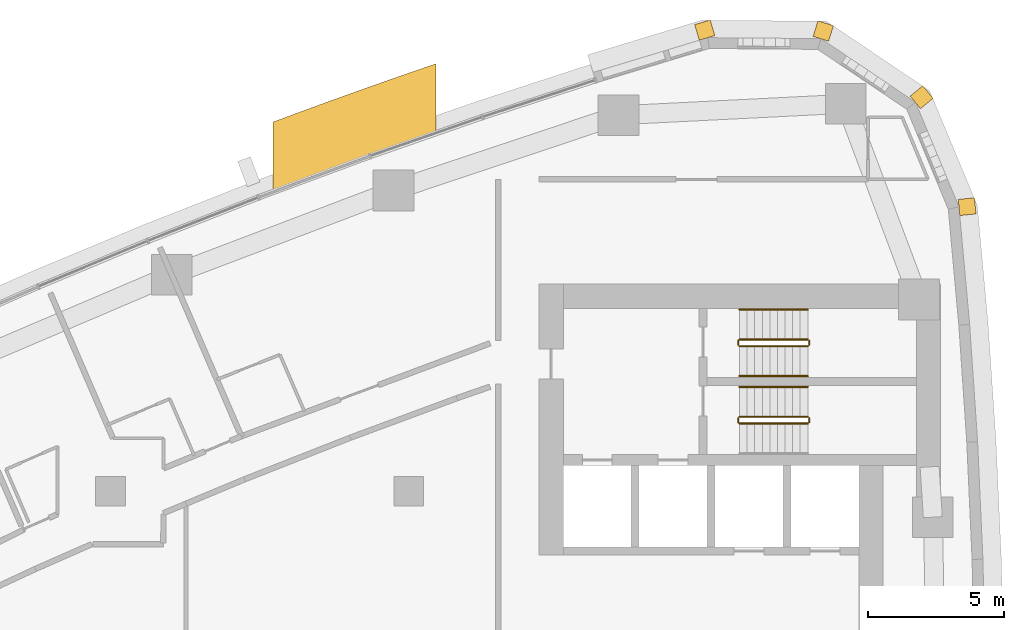
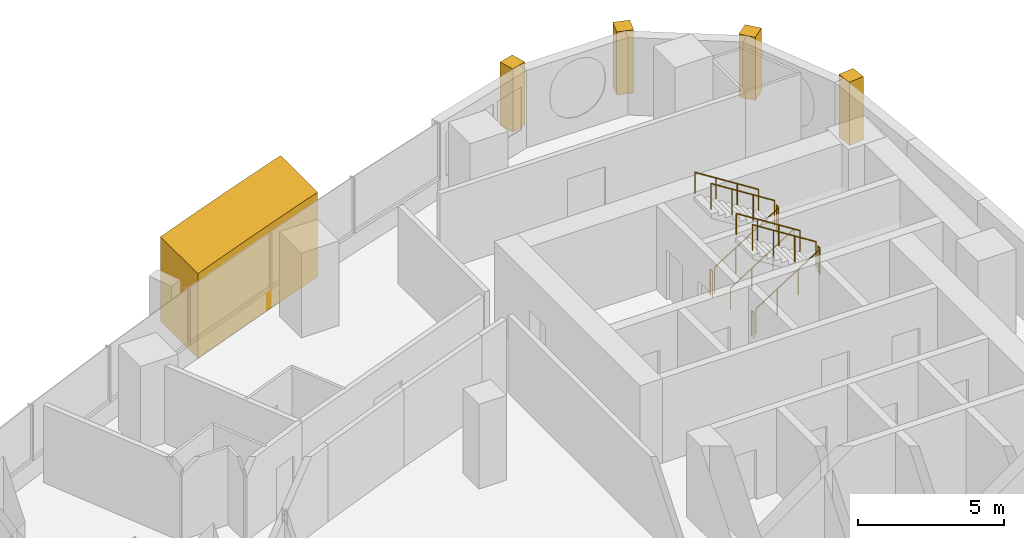
# One storey, part 17 of 17: 11 railings, 5 coverings.
"""IFC4 building model written with IfcOpenShell, lengths in metres."""

from ifc_helpers import new_model, si_unit, direction, frame, frame_2d, origin, origin_2d, place, context, subcontext, project, spatial, polyline, rectangle, circle, outline, extrude, material, layer, layer_set, type_object, element, save


model = new_model("IFC4")

# Units and contexts
model_context = context("Model", 3, precision=1e-05, world=origin(), true_north=direction((0.0, 1.0)))
body_context = subcontext(model_context, "Body", "Model", "MODEL_VIEW")
ifc_project = project(units=[si_unit("LENGTHUNIT", "METRE"), si_unit("AREAUNIT", "SQUARE_METRE"), si_unit("VOLUMEUNIT", "CUBIC_METRE"), si_unit("PLANEANGLEUNIT", "RADIAN"), si_unit("MASSUNIT", "GRAM", prefix="KILO")], contexts=[model_context])

# Site, building, storey
site_placement = place(None, origin())
site = spatial("IfcSite", under=ifc_project, at=site_placement, CompositionType="ELEMENT")
building_placement = place(site_placement, origin())
building = spatial("IfcBuilding", under=site, at=building_placement, Name="Ostrand Prow Hotel Tower", CompositionType="ELEMENT")
storey_placement = place(building_placement, frame((0.0, 0.0, 133.75)))
storey = spatial("IfcBuildingStorey", under=building, at=storey_placement, Name="L32", CompositionType="ELEMENT", Elevation=133.75)

# Coverings
ifc_material_1 = material(Name="Limestone cladding", Category="masonry")
ifc_layer_1 = layer(ifc_material_1, 5.0)
ifc_layer_set_1 = layer_set([ifc_layer_1], Name="Limestone cladding")
covering_type_1 = type_object("IfcCoveringType", Name="Portal jamb pilaster limestone", PredefinedType="CLADDING", material=ifc_layer_set_1)
covering_1_placement = place(storey_placement, origin())
element("IfcCovering", 1, at=covering_1_placement, inside=storey, type_object=covering_type_1, Name="Portal jamb NB L32", PredefinedType="CLADDING", context=body_context, shape_type="SweptSolid", body=[
    extrude(outline(polyline([(40.0, 20.058349609375), (41.0, 20.434326171875), (42.0, 20.804931640625), (43.0, 21.169921875), (44.0, 21.529296875), (45.0, 21.883056640625), (46.0, 22.231689453125), (46.0, 24.769287109375), (45.0, 24.425048828125), (44.0, 24.075439453125), (43.0, 23.720458984375), (42.0, 23.360107421875), (41.0, 22.994140625), (40.0, 22.622802734375), (40.0, 20.058349609375)])), origin(), (0.0, 0.0, 1.0), 3.550048828125),
])
ifc_material_2 = material(Name="Limestone cladding", Category="masonry")
ifc_layer_2 = layer(ifc_material_2, 0.60009765625)
ifc_layer_set_2 = layer_set([ifc_layer_2], Name="Limestone cladding")
covering_type_2 = type_object("IfcCoveringType", Name="Precast stone prow rib 600x600", PredefinedType="CLADDING", material=ifc_layer_set_2)
covering_2_placement = place(storey_placement, frame((65.296875, 19.467529296875, 0.60009765625), z_axis=(0.0, 0.0, 1.0), x_axis=(0.994854249607, 0.101316445052, 0.0)))
element("IfcCovering", 2, at=covering_2_placement, inside=storey, type_object=covering_type_2, Name="Stone corner rib 14a", PredefinedType="CLADDING", context=body_context, shape_type="SweptSolid", body=[
    extrude(rectangle(XDim=0.60009765625, YDim=0.60009765625, at=frame_2d((0.300048828125, 0.0))), origin(), (0.0, 0.0, 1.0), 2.64990234375),
])
for number, where, z_axis, x_axis, name in (
    (3, (63.68505859375, 23.34521484375, 0.60009765625), (0.0, 0.0, 1.0), (0.773830327772, 0.633392945825, 0.0), "Stone corner rib 15a"),
    (4, (60.201171875, 25.689697265625, 0.60009765625), (0.0, 0.0, 1.0), (0.295515682615, 0.955337888565, 0.0), "Stone corner rib 16a"),
):
    element("IfcCovering", number, at=place(storey_placement, frame(where, z_axis=z_axis, x_axis=x_axis)), inside=storey, type_object=covering_type_2, Name=name, PredefinedType="CLADDING", context=body_context, shape_type="SweptSolid", body=[
        extrude(rectangle(XDim=0.599853515625, YDim=0.60009765625, at=frame_2d((0.2998046875, 0.0))), origin(), (0.0, 0.0, 1.0), 2.64990234375),
    ])
covering_3_placement = place(storey_placement, frame((56.001953125, 25.722412109375, 0.60009765625), z_axis=(0.0, 0.0, 1.0), x_axis=(-0.280734221166, 0.959785547436, 0.0)))
element("IfcCovering", 5, at=covering_3_placement, inside=storey, type_object=covering_type_2, Name="Stone corner rib 16b", PredefinedType="CLADDING", context=body_context, shape_type="SweptSolid", body=[
    extrude(rectangle(XDim=0.60009765625, YDim=0.60009765625, at=frame_2d((0.300048828125, 0.0))), origin(), (0.0, 0.0, 1.0), 2.64990234375),
])

# Railings
ifc_material_3 = material(Name="Painted steel", Category="steel")
railing_type_1 = type_object("IfcRailingType", Name="Stair guard 1100", PredefinedType="GUARDRAIL", material=ifc_material_3)
railing_1_placement = place(storey_placement, frame((57.199951171875, 11.5, 0.177490234375)))
element("IfcRailing", 6, at=railing_1_placement, inside=storey, type_object=railing_type_1, Name="L32 ST1C stair guard 1", PredefinedType="GUARDRAIL", context=body_context, shape_type="SweptSolid", body=[
    extrude(circle(Radius=0.02392578125, at=origin_2d()), frame((0.0, 0.0, 1.076171875), z_axis=(0.84460694969, 0.0, 0.535386869969), x_axis=(0.0, 1.0, 0.0)), (0.0, 0.0, 1.0), 2.983642578125),
    extrude(circle(Radius=0.02099609375, at=origin_2d()), origin(), (0.0, 0.0, 1.0), 1.052001953125),
    extrude(circle(Radius=0.02099609375, at=origin_2d()), frame((0.840087890625, 0.0, 0.532470703125)), (0.0, 0.0, 1.0), 1.052001953125),
    extrude(circle(Radius=0.02099609375, at=origin_2d()), frame((1.679931640625, 0.0, 1.06494140625)), (0.0, 0.0, 1.0), 1.052001953125),
    extrude(circle(Radius=0.02099609375, at=origin_2d()), frame((2.52001953125, 0.0, 1.597412109375)), (0.0, 0.0, 1.0), 1.052001953125),
])
railing_2_placement = place(storey_placement, frame((59.77001953125, 11.550048828125, 1.77490234375)))
element("IfcRailing", 7, at=railing_2_placement, inside=storey, type_object=railing_type_1, Name="L32 ST1C stair guard 2", PredefinedType="GUARDRAIL", context=body_context, shape_type="SweptSolid", body=[
    extrude(circle(Radius=0.02392578125, at=origin_2d()), frame((0.0, 0.0, 1.076171875), z_axis=(0.0, 1.0, 0.0), x_axis=(-1.0, 0.0, 0.0)), (0.0, 0.0, 1.0), 0.14990234375),
    extrude(circle(Radius=0.02099609375, at=origin_2d()), origin(), (0.0, 0.0, 1.0), 1.052001953125),
    extrude(circle(Radius=0.02099609375, at=origin_2d()), frame((0.0, 0.14990234375, 0.0)), (0.0, 0.0, 1.0), 1.052001953125),
])
railing_3_placement = place(storey_placement, frame((59.719970703125, 11.75, 1.952392578125)))
element("IfcRailing", 8, at=railing_3_placement, inside=storey, type_object=railing_type_1, Name="L32 ST1C stair guard 3", PredefinedType="GUARDRAIL", context=body_context, shape_type="SweptSolid", body=[
    extrude(circle(Radius=0.02392578125, at=origin_2d()), frame((0.0, 0.0, 1.076171875), z_axis=(-0.84456994832, 0.0, 0.535445237532), x_axis=(0.0, -1.0, 0.0)), (0.0, 0.0, 1.0), 2.98388671875),
    extrude(circle(Radius=0.02099609375, at=origin_2d()), origin(), (0.0, 0.0, 1.0), 1.052001953125),
    extrude(circle(Radius=0.02099609375, at=origin_2d()), frame((-0.840087890625, 0.0, 0.532470703125)), (0.0, 0.0, 1.0), 1.052001953125),
    extrude(circle(Radius=0.02099609375, at=origin_2d()), frame((-1.679931640625, 0.0, 1.065185546875)), (0.0, 0.0, 1.0), 1.052001953125),
    extrude(circle(Radius=0.02099609375, at=origin_2d()), frame((-2.52001953125, 0.0, 1.59765625)), (0.0, 0.0, 1.0), 1.052001953125),
])
railing_4_placement = place(storey_placement, frame((57.14990234375, 11.550048828125, 0.0)))
element("IfcRailing", 9, at=railing_4_placement, inside=storey, type_object=railing_type_1, Name="L32 ST1C stair guard 4", PredefinedType="GUARDRAIL", context=body_context, shape_type="SweptSolid", body=[
    extrude(circle(Radius=0.02392578125, at=origin_2d()), frame((0.0, 0.0, 1.076171875), z_axis=(0.0, 1.0, 0.0), x_axis=(-1.0, 0.0, 0.0)), (0.0, 0.0, 1.0), 0.14990234375),
    extrude(circle(Radius=0.02099609375, at=origin_2d()), origin(), (0.0, 0.0, 1.0), 1.052001953125),
    extrude(circle(Radius=0.02099609375, at=origin_2d()), frame((0.0, 0.14990234375, 0.0)), (0.0, 0.0, 1.0), 1.052001953125),
])
railing_5_placement = place(storey_placement, frame((57.199951171875, 14.35009765625, 0.177490234375)))
element("IfcRailing", 10, at=railing_5_placement, inside=storey, type_object=railing_type_1, Name="L32 ST3C stair guard 1", PredefinedType="GUARDRAIL", context=body_context, shape_type="SweptSolid", body=[
    extrude(circle(Radius=0.02392578125, at=origin_2d()), frame((0.0, 0.0, 1.076171875), z_axis=(0.84460694969, 0.0, 0.535386869969), x_axis=(0.0, 1.0, 0.0)), (0.0, 0.0, 1.0), 2.983642578125),
    extrude(circle(Radius=0.02099609375, at=origin_2d()), origin(), (0.0, 0.0, 1.0), 1.052001953125),
    extrude(circle(Radius=0.02099609375, at=origin_2d()), frame((0.840087890625, 0.0, 0.532470703125)), (0.0, 0.0, 1.0), 1.052001953125),
    extrude(circle(Radius=0.02099609375, at=origin_2d()), frame((1.679931640625, 0.0, 1.06494140625)), (0.0, 0.0, 1.0), 1.052001953125),
    extrude(circle(Radius=0.02099609375, at=origin_2d()), frame((2.52001953125, 0.0, 1.597412109375)), (0.0, 0.0, 1.0), 1.052001953125),
])
railing_6_placement = place(storey_placement, frame((59.77001953125, 14.39990234375, 1.77490234375)))
element("IfcRailing", 11, at=railing_6_placement, inside=storey, type_object=railing_type_1, Name="L32 ST3C stair guard 2", PredefinedType="GUARDRAIL", context=body_context, shape_type="SweptSolid", body=[
    extrude(circle(Radius=0.02392578125, at=origin_2d()), frame((0.0, 0.0, 1.076171875), z_axis=(0.0, 1.0, 0.0), x_axis=(-1.0, 0.0, 0.0)), (0.0, 0.0, 1.0), 0.150146484375),
    extrude(circle(Radius=0.02099609375, at=origin_2d()), origin(), (0.0, 0.0, 1.0), 1.052001953125),
    extrude(circle(Radius=0.02099609375, at=origin_2d()), frame((0.0, 0.150146484375, 0.0)), (0.0, 0.0, 1.0), 1.052001953125),
])
railing_7_placement = place(storey_placement, frame((59.719970703125, 14.60009765625, 1.952392578125)))
element("IfcRailing", 12, at=railing_7_placement, inside=storey, type_object=railing_type_1, Name="L32 ST3C stair guard 3", PredefinedType="GUARDRAIL", context=body_context, shape_type="SweptSolid", body=[
    extrude(circle(Radius=0.02392578125, at=origin_2d()), frame((0.0, 0.0, 1.076171875), z_axis=(-0.84456994832, 0.0, 0.535445237532), x_axis=(0.0, -1.0, 0.0)), (0.0, 0.0, 1.0), 2.98388671875),
    extrude(circle(Radius=0.02099609375, at=origin_2d()), origin(), (0.0, 0.0, 1.0), 1.052001953125),
    extrude(circle(Radius=0.02099609375, at=origin_2d()), frame((-0.840087890625, 0.0, 0.532470703125)), (0.0, 0.0, 1.0), 1.052001953125),
    extrude(circle(Radius=0.02099609375, at=origin_2d()), frame((-1.679931640625, 0.0, 1.065185546875)), (0.0, 0.0, 1.0), 1.052001953125),
    extrude(circle(Radius=0.02099609375, at=origin_2d()), frame((-2.52001953125, 0.0, 1.59765625)), (0.0, 0.0, 1.0), 1.052001953125),
])
railing_8_placement = place(storey_placement, frame((57.14990234375, 14.39990234375, 0.0)))
element("IfcRailing", 13, at=railing_8_placement, inside=storey, type_object=railing_type_1, Name="L32 ST3C stair guard 4", PredefinedType="GUARDRAIL", context=body_context, shape_type="SweptSolid", body=[
    extrude(circle(Radius=0.02392578125, at=origin_2d()), frame((0.0, 0.0, 1.076171875), z_axis=(0.0, 1.0, 0.0), x_axis=(-1.0, 0.0, 0.0)), (0.0, 0.0, 1.0), 0.150146484375),
    extrude(circle(Radius=0.02099609375, at=origin_2d()), origin(), (0.0, 0.0, 1.0), 1.052001953125),
    extrude(circle(Radius=0.02099609375, at=origin_2d()), frame((0.0, 0.150146484375, 0.0)), (0.0, 0.0, 1.0), 1.052001953125),
])
ifc_material_4 = material(Name="Stainless steel", Category="steel")
railing_type_2 = type_object("IfcRailingType", Name="Stair handrail 900", PredefinedType="HANDRAIL", material=ifc_material_4)
railing_9_placement = place(storey_placement, frame((59.719970703125, 12.85009765625, 1.952392578125)))
element("IfcRailing", 14, at=railing_9_placement, inside=storey, type_object=railing_type_2, Name="L32 ST1C stair handrail 2", PredefinedType="HANDRAIL", context=body_context, shape_type="SweptSolid", body=[
    extrude(circle(Radius=0.02392578125, at=origin_2d()), frame((0.0, 0.0, 0.8759765625), z_axis=(-0.84456994832, 0.0, 0.535445237532), x_axis=(0.0, -1.0, 0.0)), (0.0, 0.0, 1.0), 2.98388671875),
    extrude(circle(Radius=0.02099609375, at=origin_2d()), origin(), (0.0, 0.0, 1.0), 0.851806640625),
    extrude(circle(Radius=0.02099609375, at=origin_2d()), frame((-0.840087890625, 0.0, 0.532470703125)), (0.0, 0.0, 1.0), 0.851806640625),
    extrude(circle(Radius=0.02099609375, at=origin_2d()), frame((-1.679931640625, 0.0, 1.065185546875)), (0.0, 0.0, 1.0), 0.851806640625),
    extrude(circle(Radius=0.02099609375, at=origin_2d()), frame((-2.52001953125, 0.0, 1.59765625)), (0.0, 0.0, 1.0), 0.851806640625),
])
railing_10_placement = place(storey_placement, frame((57.199951171875, 13.25, 0.177490234375)))
element("IfcRailing", 15, at=railing_10_placement, inside=storey, type_object=railing_type_2, Name="L32 ST3C stair handrail 1", PredefinedType="HANDRAIL", context=body_context, shape_type="SweptSolid", body=[
    extrude(circle(Radius=0.02392578125, at=origin_2d()), frame((0.0, 0.0, 0.8759765625), z_axis=(0.84460694969, 0.0, 0.535386869969), x_axis=(0.0, 1.0, 0.0)), (0.0, 0.0, 1.0), 2.983642578125),
    extrude(circle(Radius=0.02099609375, at=origin_2d()), origin(), (0.0, 0.0, 1.0), 0.851806640625),
    extrude(circle(Radius=0.02099609375, at=origin_2d()), frame((0.840087890625, 0.0, 0.532470703125)), (0.0, 0.0, 1.0), 0.851806640625),
    extrude(circle(Radius=0.02099609375, at=origin_2d()), frame((1.679931640625, 0.0, 1.06494140625)), (0.0, 0.0, 1.0), 0.851806640625),
    extrude(circle(Radius=0.02099609375, at=origin_2d()), frame((2.52001953125, 0.0, 1.597412109375)), (0.0, 0.0, 1.0), 0.851806640625),
])
railing_11_placement = place(storey_placement, frame((59.719970703125, 15.699951171875, 1.952392578125)))
element("IfcRailing", 16, at=railing_11_placement, inside=storey, type_object=railing_type_2, Name="L32 ST3C stair handrail 2", PredefinedType="HANDRAIL", context=body_context, shape_type="SweptSolid", body=[
    extrude(circle(Radius=0.02392578125, at=origin_2d()), frame((0.0, 0.0, 0.8759765625), z_axis=(-0.84456994832, 0.0, 0.535445237532), x_axis=(0.0, -1.0, 0.0)), (0.0, 0.0, 1.0), 2.98388671875),
    extrude(circle(Radius=0.02099609375, at=origin_2d()), origin(), (0.0, 0.0, 1.0), 0.851806640625),
    extrude(circle(Radius=0.02099609375, at=origin_2d()), frame((-0.840087890625, 0.0, 0.532470703125)), (0.0, 0.0, 1.0), 0.851806640625),
    extrude(circle(Radius=0.02099609375, at=origin_2d()), frame((-1.679931640625, 0.0, 1.065185546875)), (0.0, 0.0, 1.0), 0.851806640625),
    extrude(circle(Radius=0.02099609375, at=origin_2d()), frame((-2.52001953125, 0.0, 1.59765625)), (0.0, 0.0, 1.0), 0.851806640625),
])

save(model, "model.ifc")
